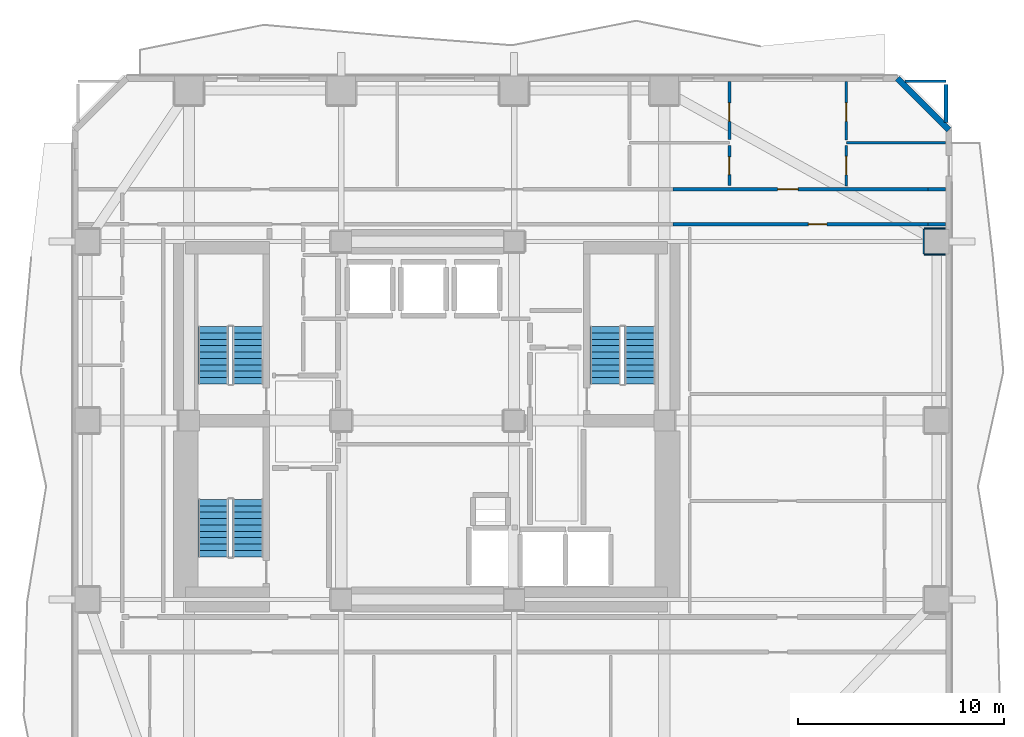
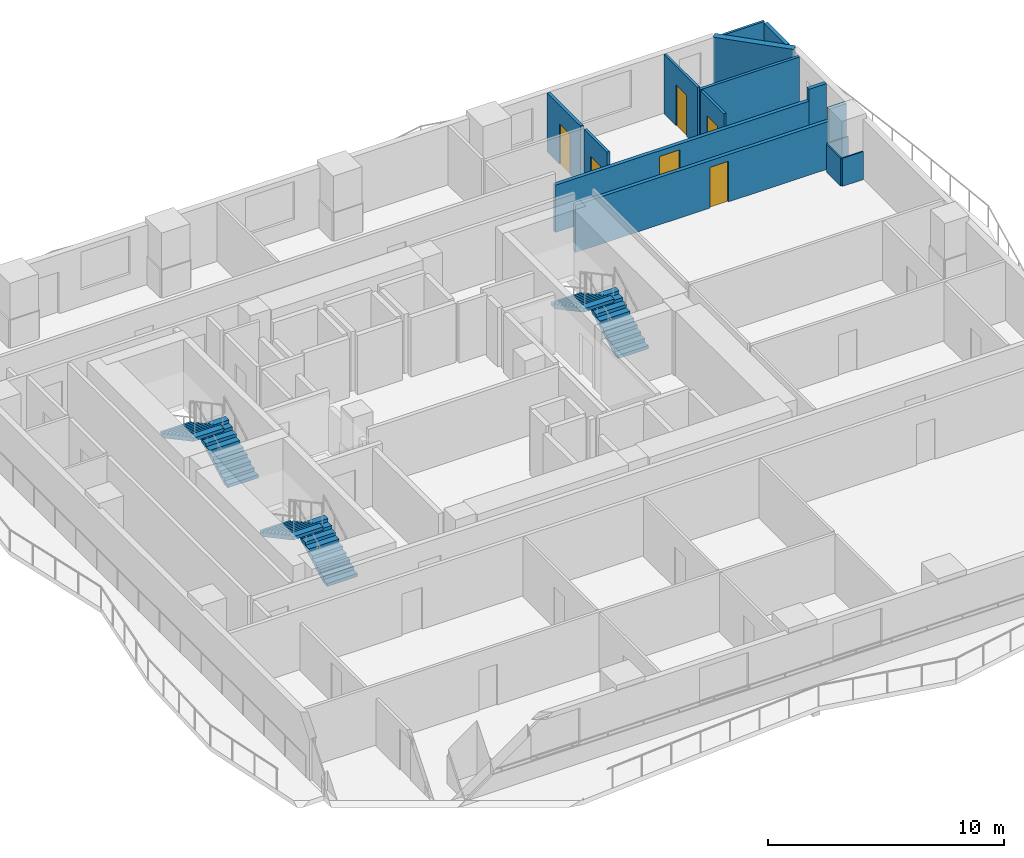
# One storey, part 6 of 9: 15 walls, 6 doors, 6 stair flights, 6 openings, 3 elements without a shape of their own.
"""IFC4 building model written with IfcOpenShell, lengths in metres."""

from ifc_helpers import new_model, si_unit, direction, frame, frame_2d, origin, place, context, subcontext, project, spatial, polyline, rectangle, outline, extrude, material, layer, layer_set, type_object, element, fill, aggregate, save


model = new_model("IFC4")

# Units and contexts
model_context = context("Model", 3, precision=1e-05, world=origin(), true_north=direction((0.0, 1.0)))
body_context = subcontext(model_context, "Body", "Model", "MODEL_VIEW")
ifc_project = project(units=[si_unit("LENGTHUNIT", "METRE"), si_unit("AREAUNIT", "SQUARE_METRE"), si_unit("VOLUMEUNIT", "CUBIC_METRE"), si_unit("PLANEANGLEUNIT", "RADIAN"), si_unit("MASSUNIT", "GRAM", prefix="KILO")], contexts=[model_context])

# Site, building, storey
site_placement = place(None, origin())
site = spatial("IfcSite", under=ifc_project, at=site_placement, CompositionType="ELEMENT")
building_placement = place(site_placement, origin())
building = spatial("IfcBuilding", under=site, at=building_placement, Name="Solanera Arch Residences", CompositionType="ELEMENT")
storey_placement = place(building_placement, frame((0.0, 0.0, 55.199951171875)))
storey = spatial("IfcBuildingStorey", under=building, at=storey_placement, Name="L15", CompositionType="ELEMENT", Elevation=55.199951171875)

# Walls
ifc_material_1 = material(Name="Fire-Rated Gypsum Stud Partition", Category="gypsum")
ifc_layer_1 = layer(ifc_material_1, 0.06005859375)
ifc_layer_set_1 = layer_set([ifc_layer_1], Name="Fire-Rated Gypsum Stud Partition")
wall_type_1 = type_object("IfcWallType", Name="Column Acoustic Furring Wall 60", PredefinedType="PARTITIONING", material=ifc_layer_set_1)
for number, where, z_axis, x_axis, name in (
    (1, (49.14990234375, 38.76806640625, 0.0), (0.0, 0.0, 1.0), (1.0, 0.0, 0.0), "L15 Column Furring 22S"),
    (2, (49.14990234375, 40.031982421875, 0.0), (0.0, 0.0, 1.0), (1.0, 0.0, 0.0), "L15 Column Furring 22N"),
):
    element("IfcWall", number, at=place(storey_placement, frame(where, z_axis=z_axis, x_axis=x_axis)), inside=storey, type_object=wall_type_1, Name=name, PredefinedType="PARTITIONING", context=body_context, shape_type="SweptSolid", body=[
        extrude(rectangle(XDim=1.02001953125, YDim=0.06005859375, at=frame_2d((0.510009765625, 0.0))), origin(), (0.0, 0.0, 1.0), 1.449951171875),
    ])
wall_1_placement = place(storey_placement, frame((49.117919921875, 38.800048828125, 0.0), z_axis=(0.0, 0.0, 1.0), x_axis=(0.0, 1.0, 0.0)))
element("IfcWall", 3, at=wall_1_placement, inside=storey, type_object=wall_type_1, Name="L15 Column Furring 22W", PredefinedType="PARTITIONING", context=body_context, shape_type="SweptSolid", body=[
    extrude(rectangle(XDim=1.199951171875, YDim=0.06005859375, at=frame_2d((0.60009765625, 0.0))), origin(), (0.0, 0.0, 1.0), 1.449951171875),
])

# Wall, opening, door
ifc_material_2 = material(Name="Autoclaved Aerated Concrete Blockwork", Category="masonry")
ifc_layer_2 = layer(ifc_material_2, 0.179931640625)
ifc_layer_set_2 = layer_set([ifc_layer_2], Name="Autoclaved Aerated Concrete Blockwork")
wall_type_2 = type_object("IfcWallType", Name="Corridor Fire Partition 180", PredefinedType="PARTITIONING", material=ifc_layer_set_2)
wall_2_placement = place(storey_placement, frame((36.931884765625, 40.25, 0.0), z_axis=(0.0, 0.0, 1.0), x_axis=(1.0, 0.0, 0.0)))
wall_2 = element("IfcWall", 4, at=wall_2_placement, inside=storey, type_object=wall_type_2, Name="L15 Interior Partition H10 2", PredefinedType="PARTITIONING", context=body_context, shape_type="SweptSolid", body=[
    extrude(rectangle(XDim=12.38623046875, YDim=0.179931640625, at=frame_2d((6.193115234375, 0.0))), origin(), (0.0, 0.0, 1.0), 2.445068359375),
])
opening_1_placement = place(wall_2_placement, frame((6.569091796875, 0.0, 0.0)))
opening_1 = element("IfcOpeningElement", 5, at=opening_1_placement, cuts=wall_2, Name="Opening DI-02", PredefinedType="OPENING", context=body_context, shape_type="SweptSolid", body=[
    extrude(rectangle(XDim=0.89990234375, YDim=2.10009765625, at=frame_2d((0.449951171875, 1.050048828125))), frame((0.0, 0.10009765625, 0.0), z_axis=(0.0, -1.0, 0.0), x_axis=(1.0, 0.0, 0.0)), (0.0, 0.0, 1.0), 0.1999),
])
ifc_material_3 = material(Name="Fire-Rated Architectural Hardwood", Category="wood")
door_type_1 = type_object("IfcDoorType", Name="Suite Room Swing Door DI-02", OperationType="NOTDEFINED", PredefinedType="DOOR", material=ifc_material_3)
door_1_placement = place(opening_1_placement, origin())
door_1 = element("IfcDoor", 6, at=door_1_placement, inside=storey, type_object=door_type_1, Name="DR-L15-IN-035", OperationType="SINGLE_SWING_LEFT", OverallHeight=2.10009765625, OverallWidth=0.89990234375, PredefinedType="DOOR", context=body_context, shape_type="SweptSolid", body=[
    extrude(rectangle(XDim=0.89990234375, YDim=2.10009765625, at=frame_2d((0.449951171875, 1.050048828125))), frame((0.0, 0.02490234375, 0.0), z_axis=(0.0, -1.0, 0.0), x_axis=(1.0, 0.0, 0.0)), (0.0, 0.0, 1.0), 0.050048828125),
])
fill(opening_1, door_1)

# Wall
wall_3_placement = place(storey_placement, frame((49.318115234375, 40.25, 0.0), z_axis=(0.0, 0.0, 1.0), x_axis=(1.0, 0.0, 0.0)))
element("IfcWall", 7, at=wall_3_placement, inside=storey, type_object=wall_type_2, Name="L15 Interior Partition H10 3", PredefinedType="PARTITIONING", context=body_context, shape_type="SweptSolid", body=[
    extrude(rectangle(XDim=0.85498046875, YDim=0.179931640625, at=frame_2d((0.427490234375, 0.0))), origin(), (0.0, 0.0, 1.0), 3.06005859375),
])

# Wall, opening, door
wall_4_placement = place(storey_placement, frame((36.931884765625, 41.949951171875, 0.0), z_axis=(0.0, 0.0, 1.0), x_axis=(1.0, 0.0, 0.0)))
wall_4 = element("IfcWall", 8, at=wall_4_placement, inside=storey, type_object=wall_type_2, Name="L15 Interior Partition H11 2", PredefinedType="PARTITIONING", context=body_context, shape_type="SweptSolid", body=[
    extrude(rectangle(XDim=12.38623046875, YDim=0.179931640625, at=frame_2d((6.193115234375, 0.0))), origin(), (0.0, 0.0, 1.0), 2.445068359375),
])
opening_2_placement = place(wall_4_placement, frame((5.077880859375, 0.0, 0.0)))
opening_2 = element("IfcOpeningElement", 9, at=opening_2_placement, cuts=wall_4, Name="Opening DI-01", PredefinedType="OPENING", context=body_context, shape_type="SweptSolid", body=[
    extrude(rectangle(XDim=1.0, YDim=2.14990234375, at=frame_2d((0.5, 1.074951171875))), frame((0.0, 0.10009765625, 0.0), z_axis=(0.0, -1.0, 0.0), x_axis=(1.0, 0.0, 0.0)), (0.0, 0.0, 1.0), 0.1999),
])
ifc_material_4 = material(Name="Fire-Rated Architectural Hardwood", Category="wood")
door_type_2 = type_object("IfcDoorType", Name="Unit Entrance Fire Door DI-01", OperationType="NOTDEFINED", PredefinedType="DOOR", material=ifc_material_4)
door_2_placement = place(opening_2_placement, origin())
door_2 = element("IfcDoor", 10, at=door_2_placement, inside=storey, type_object=door_type_2, Name="DR-L15-IN-024", OperationType="SINGLE_SWING_RIGHT", OverallHeight=2.14990234375, OverallWidth=1.0, PredefinedType="DOOR", context=body_context, shape_type="SweptSolid", body=[
    extrude(rectangle(XDim=1.0, YDim=2.14990234375, at=frame_2d((0.5, 1.074951171875))), frame((0.0, 0.02490234375, 0.0), z_axis=(0.0, -1.0, 0.0), x_axis=(1.0, 0.0, 0.0)), (0.0, 0.0, 1.0), 0.050048828125),
])
fill(opening_2, door_2)

# Walls
wall_5_placement = place(storey_placement, frame((49.318115234375, 41.949951171875, 0.0), z_axis=(0.0, 0.0, 1.0), x_axis=(1.0, 0.0, 0.0)))
element("IfcWall", 11, at=wall_5_placement, inside=storey, type_object=wall_type_2, Name="L15 Interior Partition H11 3", PredefinedType="PARTITIONING", context=body_context, shape_type="SweptSolid", body=[
    extrude(rectangle(XDim=0.85498046875, YDim=0.179931640625, at=frame_2d((0.427490234375, 0.0))), origin(), (0.0, 0.0, 1.0), 3.06005859375),
])
wall_6_placement = place(storey_placement, frame((50.199951171875, 45.198974609375, 0.0), z_axis=(0.0, 0.0, 1.0), x_axis=(0.0, 1.0, 0.0)))
element("IfcWall", 12, at=wall_6_placement, inside=storey, type_object=wall_type_2, Name="L15 Interior Partition V9 2", PredefinedType="PARTITIONING", context=body_context, shape_type="SweptSolid", body=[
    extrude(rectangle(XDim=1.843017578125, YDim=0.179931640625, at=frame_2d((0.92138671875, 0.0))), origin(), (0.0, 0.0, 1.0), 3.06005859375),
])
ifc_material_5 = material(Name="Precast Concrete C35/45", Category="concrete")
ifc_layer_3 = layer(ifc_material_5, 0.300048828125)
ifc_layer_set_3 = layer_set([ifc_layer_3], Name="Precast Concrete C35/45")
wall_type_3 = type_object("IfcWallType", Name="Exterior Wall Precast Masonry-Frame 300", PredefinedType="STANDARD", material=ifc_layer_set_3)
wall_7_placement = place(storey_placement, frame((47.8349609375, 47.3349609375, 0.0), z_axis=(0.0, 0.0, 1.0), x_axis=(0.707106781187, -0.707106781187, 0.0)))
element("IfcWall", 13, at=wall_7_placement, inside=storey, type_object=wall_type_3, Name="L15 Tower Exterior Precast Masonry-Frame Wall CH3", PredefinedType="STANDARD", context=body_context, shape_type="SweptSolid", body=[
    extrude(rectangle(XDim=3.53564453125, YDim=0.300048828125, at=frame_2d((1.767822265625, 0.0))), origin(), (0.0, 0.0, 1.0), 3.06005859375),
])
ifc_material_6 = material(Name="Fire-Rated Gypsum Stud Partition", Category="gypsum")
ifc_layer_4 = layer(ifc_material_6, 0.1201171875)
ifc_layer_set_4 = layer_set([ifc_layer_4], Name="Fire-Rated Gypsum Stud Partition")
wall_type_4 = type_object("IfcWallType", Name="Unit Drywall Partition 120", PredefinedType="PARTITIONING", material=ifc_layer_set_4)
wall_8_placement = place(storey_placement, frame((48.198974609375, 47.199951171875, 0.0), z_axis=(0.0, 0.0, 1.0), x_axis=(1.0, 0.0, 0.0)))
element("IfcWall", 14, at=wall_8_placement, inside=storey, type_object=wall_type_4, Name="L15 Interior Partition H21 2", PredefinedType="PARTITIONING", context=body_context, shape_type="SweptSolid", body=[
    extrude(rectangle(XDim=2.0009765625, YDim=0.1201171875, at=frame_2d((1.00048828125, 0.0))), origin(), (0.0, 0.0, 1.0), 3.06005859375),
])

# Wall, opening, door
wall_9_placement = place(storey_placement, frame((45.35400390625, 42.10791015625, 0.0), z_axis=(0.0, 0.0, 1.0), x_axis=(0.0, 1.0, 0.0)))
wall_9 = element("IfcWall", 15, at=wall_9_placement, inside=storey, type_object=wall_type_4, Name="L15 Interior Partition V22 1", PredefinedType="PARTITIONING", context=body_context, shape_type="SweptSolid", body=[
    extrude(rectangle(XDim=1.962158203125, YDim=0.1201171875, at=frame_2d((0.98095703125, 0.0))), origin(), (0.0, 0.0, 1.0), 3.06005859375),
])
opening_3_placement = place(wall_9_placement, frame((0.533935546875, 0.0, 0.0)))
opening_3 = element("IfcOpeningElement", 16, at=opening_3_placement, cuts=wall_9, Name="Opening DI-02", PredefinedType="OPENING", context=body_context, shape_type="SweptSolid", body=[
    extrude(rectangle(XDim=0.89990234375, YDim=2.10009765625, at=frame_2d((0.449951171875, 1.050048828125))), frame((0.0, 0.070068359375, 0.0), z_axis=(0.0, -1.0, 0.0), x_axis=(1.0, 0.0, 0.0)), (0.0, 0.0, 1.0), 0.1401),
])
door_3_placement = place(opening_3_placement, origin())
door_3 = element("IfcDoor", 17, at=door_3_placement, inside=storey, type_object=door_type_1, Name="DR-L15-IN-027", OperationType="SINGLE_SWING_LEFT", OverallHeight=2.10009765625, OverallWidth=0.89990234375, PredefinedType="DOOR", context=body_context, shape_type="SweptSolid", body=[
    extrude(rectangle(XDim=0.89990234375, YDim=2.10009765625, at=frame_2d((0.449951171875, 1.050048828125))), frame((0.0, 0.02490234375, 0.0), z_axis=(0.0, -1.0, 0.0), x_axis=(1.0, 0.0, 0.0)), (0.0, 0.0, 1.0), 0.050048828125),
])
fill(opening_3, door_3)

wall_10_placement = place(storey_placement, frame((45.35400390625, 44.345947265625, 0.0), z_axis=(0.0, 0.0, 1.0), x_axis=(0.0, 1.0, 0.0)))
wall_10 = element("IfcWall", 18, at=wall_10_placement, inside=storey, type_object=wall_type_4, Name="L15 Interior Partition V22 2", PredefinedType="PARTITIONING", context=body_context, shape_type="SweptSolid", body=[
    extrude(rectangle(XDim=2.8271484375, YDim=0.1201171875, at=frame_2d((1.41357421875, 0.0))), origin(), (0.0, 0.0, 1.0), 3.06005859375),
])
opening_4_placement = place(wall_10_placement, frame((0.89501953125, 0.0, 0.0)))
opening_4 = element("IfcOpeningElement", 19, at=opening_4_placement, cuts=wall_10, Name="Opening DI-03", PredefinedType="OPENING", context=body_context, shape_type="SweptSolid", body=[
    extrude(rectangle(XDim=0.89990234375, YDim=2.10009765625, at=frame_2d((0.449951171875, 1.050048828125))), frame((0.0, 0.070068359375, 0.0), z_axis=(0.0, -1.0, 0.0), x_axis=(1.0, 0.0, 0.0)), (0.0, 0.0, 1.0), 0.1401),
])
ifc_material_7 = material(Name="Fire-Rated Architectural Hardwood", Category="wood")
door_type_3 = type_object("IfcDoorType", Name="Bedroom Swing Door DI-03", OperationType="NOTDEFINED", PredefinedType="DOOR", material=ifc_material_7)
door_4_placement = place(opening_4_placement, origin())
door_4 = element("IfcDoor", 20, at=door_4_placement, inside=storey, type_object=door_type_3, Name="DR-L15-IN-028", OperationType="SINGLE_SWING_RIGHT", OverallHeight=2.10009765625, OverallWidth=0.89990234375, PredefinedType="DOOR", context=body_context, shape_type="SweptSolid", body=[
    extrude(rectangle(XDim=0.89990234375, YDim=2.10009765625, at=frame_2d((0.449951171875, 1.050048828125))), frame((0.0, 0.02490234375, 0.0), z_axis=(0.0, -1.0, 0.0), x_axis=(1.0, 0.0, 0.0)), (0.0, 0.0, 1.0), 0.050048828125),
])
fill(opening_4, door_4)

# Wall
ifc_material_8 = material(Name="Autoclaved Aerated Concrete Blockwork", Category="masonry")
ifc_layer_5 = layer(ifc_material_8, 0.139892578125)
ifc_layer_set_5 = layer_set([ifc_layer_5], Name="Autoclaved Aerated Concrete Blockwork")
wall_type_5 = type_object("IfcWallType", Name="Wet-Room Partition 140", PredefinedType="PARTITIONING", material=ifc_layer_set_5)
wall_11_placement = place(storey_placement, frame((45.35400390625, 44.2080078125, 0.0), z_axis=(0.0, 0.0, 1.0), x_axis=(1.0, 0.0, 0.0)))
element("IfcWall", 21, at=wall_11_placement, inside=storey, type_object=wall_type_5, Name="L15 Interior Partition H18", PredefinedType="PARTITIONING", context=body_context, shape_type="SweptSolid", body=[
    extrude(rectangle(XDim=4.819091796875, YDim=0.139892578125, at=frame_2d((2.40966796875, 0.0))), origin(), (0.0, 0.0, 1.0), 3.06005859375),
])

# Wall, opening, door
wall_12_placement = place(storey_placement, frame((39.666015625, 42.117919921875, 0.0), z_axis=(0.0, 0.0, 1.0), x_axis=(0.0, 1.0, 0.0)))
wall_12 = element("IfcWall", 22, at=wall_12_placement, inside=storey, type_object=wall_type_5, Name="L15 Interior Partition V15 1", PredefinedType="PARTITIONING", context=body_context, shape_type="SweptSolid", body=[
    extrude(rectangle(XDim=1.942138671875, YDim=0.139892578125, at=frame_2d((0.97119140625, 0.0))), origin(), (0.0, 0.0, 1.0), 3.06005859375),
])
opening_5_placement = place(wall_12_placement, frame((0.5439453125, 0.0, 0.0)))
opening_5 = element("IfcOpeningElement", 23, at=opening_5_placement, cuts=wall_12, Name="Opening DI-05", PredefinedType="OPENING", context=body_context, shape_type="SweptSolid", body=[
    extrude(rectangle(XDim=0.860107421875, YDim=2.02001953125, at=frame_2d((0.43017578125, 1.010009765625))), frame((0.0, 0.079833984375, 0.0), z_axis=(0.0, -1.0, 0.0), x_axis=(1.0, 0.0, 0.0)), (0.0, 0.0, 1.0), 0.1599),
])
ifc_material_9 = material(Name="Fire-Rated Architectural Hardwood", Category="wood")
door_type_4 = type_object("IfcDoorType", Name="Bathroom Swing Door DI-05", OperationType="NOTDEFINED", PredefinedType="DOOR", material=ifc_material_9)
door_5_placement = place(opening_5_placement, origin())
door_5 = element("IfcDoor", 24, at=door_5_placement, inside=storey, type_object=door_type_4, Name="DR-L15-IN-025", OperationType="SINGLE_SWING_LEFT", OverallHeight=2.02001953125, OverallWidth=0.860107421875, PredefinedType="DOOR", context=body_context, shape_type="SweptSolid", body=[
    extrude(rectangle(XDim=0.860107421875, YDim=2.02001953125, at=frame_2d((0.43017578125, 1.010009765625))), frame((0.0, 0.02490234375, 0.0), z_axis=(0.0, -1.0, 0.0), x_axis=(1.0, 0.0, 0.0)), (0.0, 0.0, 1.0), 0.050048828125),
])
fill(opening_5, door_5)

wall_13_placement = place(storey_placement, frame((39.666015625, 44.35595703125, 0.0), z_axis=(0.0, 0.0, 1.0), x_axis=(0.0, 1.0, 0.0)))
wall_13 = element("IfcWall", 25, at=wall_13_placement, inside=storey, type_object=wall_type_5, Name="L15 Interior Partition V15 2", PredefinedType="PARTITIONING", context=body_context, shape_type="SweptSolid", body=[
    extrude(rectangle(XDim=2.817138671875, YDim=0.139892578125, at=frame_2d((1.40869140625, 0.0))), origin(), (0.0, 0.0, 1.0), 3.06005859375),
])
opening_6_placement = place(wall_13_placement, frame((0.885009765625, 0.0, 0.0)))
opening_6 = element("IfcOpeningElement", 26, at=opening_6_placement, cuts=wall_13, Name="Opening DI-03", PredefinedType="OPENING", context=body_context, shape_type="SweptSolid", body=[
    extrude(rectangle(XDim=0.89990234375, YDim=2.10009765625, at=frame_2d((0.449951171875, 1.050048828125))), frame((0.0, 0.079833984375, 0.0), z_axis=(0.0, -1.0, 0.0), x_axis=(1.0, 0.0, 0.0)), (0.0, 0.0, 1.0), 0.1599),
])
door_6_placement = place(opening_6_placement, origin())
door_6 = element("IfcDoor", 27, at=door_6_placement, inside=storey, type_object=door_type_3, Name="DR-L15-IN-026", OperationType="SINGLE_SWING_RIGHT", OverallHeight=2.10009765625, OverallWidth=0.89990234375, PredefinedType="DOOR", context=body_context, shape_type="SweptSolid", body=[
    extrude(rectangle(XDim=0.89990234375, YDim=2.10009765625, at=frame_2d((0.449951171875, 1.050048828125))), frame((0.0, 0.02490234375, 0.0), z_axis=(0.0, -1.0, 0.0), x_axis=(1.0, 0.0, 0.0)), (0.0, 0.0, 1.0), 0.050048828125),
])
fill(opening_6, door_6)

# Stair, stair flights
ifc_material_10 = material(Name="Concrete C40/50 (f'c = 45 MPa)", Category="concrete")
stair_type = type_object("IfcStairType", Name="Tower Dogleg Exit Stair 1480", PredefinedType="HALF_TURN_STAIR", material=ifc_material_10)
stair_1_placement = place(storey_placement, origin())
stair_1 = element("IfcStair", 28, at=stair_1_placement, inside=storey, type_object=stair_type, Name="L15 Tower Core Exit Stair 1", PredefinedType="HALF_TURN_STAIR")
ifc_material_11 = material(Name="Concrete C40/50 (f'c = 45 MPa)", Category="concrete")
stair_flight_type = type_object("IfcStairFlightType", Name="Tower Precast Stair Flight 1480", PredefinedType="STRAIGHT", material=ifc_material_11)
stair_flight_1_placement = place(storey_placement, frame((16.260009765625, 32.47998046875, 0.0), z_axis=(0.0, 0.0, 1.0), x_axis=(0.0, 1.0, 0.0)))
stair_flight_1 = element("IfcStairFlight", 29, at=stair_flight_1_placement, type_object=stair_flight_type, Name="ST-T1 flight 1", NumberOfRisers=10, NumberOfTreads=9, PredefinedType="STRAIGHT", RiserHeight=0.166, TreadLength=0.31, context=body_context, shape_type="SweptSolid", body=[
    extrude(outline(polyline([(0.0, 0.0), (0.0, 0.166015625), (0.31005859375, 0.166015625), (0.31005859375, 0.33203125), (0.6201171875, 0.33203125), (0.6201171875, 0.498046875), (0.929931640625, 0.498046875), (0.929931640625, 0.6640625), (1.239990234375, 0.6640625), (1.239990234375, 0.830078125), (1.550048828125, 0.830078125), (1.550048828125, 0.99609375), (1.860107421875, 0.99609375), (1.860107421875, 1.162109375), (2.169921875, 1.162109375), (2.169921875, 1.327880859375), (2.47998046875, 1.327880859375), (2.47998046875, 1.493896484375), (2.7900390625, 1.493896484375), (2.7900390625, 1.659912109375), (2.7900390625, 1.323974609375), (0.317626953125, 0.0), (0.0, 0.0)])), frame((0.0, 0.739990234375, 0.0), z_axis=(0.0, -1.0, 0.0), x_axis=(1.0, 0.0, 0.0)), (0.0, 0.0, 1.0), 1.47998046875),
])
stair_flight_2_placement = place(storey_placement, frame((14.580078125, 35.27001953125, 1.66015625), z_axis=(0.0, 0.0, 1.0), x_axis=(0.0, -1.0, 0.0)))
stair_flight_2 = element("IfcStairFlight", 30, at=stair_flight_2_placement, type_object=stair_flight_type, Name="ST-T1 flight 2", NumberOfRisers=10, NumberOfTreads=9, PredefinedType="STRAIGHT", RiserHeight=0.166, TreadLength=0.31, context=body_context, shape_type="SweptSolid", body=[
    extrude(outline(polyline([(0.0, 0.0), (0.0, 0.166015625), (0.31005859375, 0.166015625), (0.31005859375, 0.33203125), (0.6201171875, 0.33203125), (0.6201171875, 0.498046875), (0.929931640625, 0.498046875), (0.929931640625, 0.6640625), (1.239990234375, 0.6640625), (1.239990234375, 0.830078125), (1.550048828125, 0.830078125), (1.550048828125, 0.99609375), (1.860107421875, 0.99609375), (1.860107421875, 1.162109375), (2.169921875, 1.162109375), (2.169921875, 1.327880859375), (2.47998046875, 1.327880859375), (2.47998046875, 1.493896484375), (2.7900390625, 1.493896484375), (2.7900390625, 1.659912109375), (2.7900390625, 1.323974609375), (0.317626953125, 0.0), (0.0, 0.0)])), frame((0.0, 0.739990234375, 0.0), z_axis=(0.0, -1.0, 0.0), x_axis=(1.0, 0.0, 0.0)), (0.0, 0.0, 1.0), 1.47998046875),
])
aggregate(stair_1, [stair_flight_1, stair_flight_2])

stair_2_placement = place(storey_placement, origin())
stair_2 = element("IfcStair", 31, at=stair_2_placement, inside=storey, type_object=stair_type, Name="L15 Tower Core Exit Stair 2", PredefinedType="HALF_TURN_STAIR")
stair_flight_3_placement = place(storey_placement, frame((35.320068359375, 32.47998046875, 0.0), z_axis=(0.0, 0.0, 1.0), x_axis=(0.0, 1.0, 0.0)))
stair_flight_3 = element("IfcStairFlight", 32, at=stair_flight_3_placement, type_object=stair_flight_type, Name="ST-T2 flight 1", NumberOfRisers=10, NumberOfTreads=9, PredefinedType="STRAIGHT", RiserHeight=0.166, TreadLength=0.31, context=body_context, shape_type="SweptSolid", body=[
    extrude(outline(polyline([(0.0, 0.0), (0.0, 0.166015625), (0.31005859375, 0.166015625), (0.31005859375, 0.33203125), (0.6201171875, 0.33203125), (0.6201171875, 0.498046875), (0.929931640625, 0.498046875), (0.929931640625, 0.6640625), (1.239990234375, 0.6640625), (1.239990234375, 0.830078125), (1.550048828125, 0.830078125), (1.550048828125, 0.99609375), (1.860107421875, 0.99609375), (1.860107421875, 1.162109375), (2.169921875, 1.162109375), (2.169921875, 1.327880859375), (2.47998046875, 1.327880859375), (2.47998046875, 1.493896484375), (2.7900390625, 1.493896484375), (2.7900390625, 1.659912109375), (2.7900390625, 1.323974609375), (0.317626953125, 0.0), (0.0, 0.0)])), frame((0.0, 0.739990234375, 0.0), z_axis=(0.0, -1.0, 0.0), x_axis=(1.0, 0.0, 0.0)), (0.0, 0.0, 1.0), 1.47998046875),
])
stair_flight_4_placement = place(storey_placement, frame((33.639892578125, 35.27001953125, 1.66015625), z_axis=(0.0, 0.0, 1.0), x_axis=(0.0, -1.0, 0.0)))
stair_flight_4 = element("IfcStairFlight", 33, at=stair_flight_4_placement, type_object=stair_flight_type, Name="ST-T2 flight 2", NumberOfRisers=10, NumberOfTreads=9, PredefinedType="STRAIGHT", RiserHeight=0.166, TreadLength=0.31, context=body_context, shape_type="SweptSolid", body=[
    extrude(outline(polyline([(0.0, 0.0), (0.0, 0.166015625), (0.31005859375, 0.166015625), (0.31005859375, 0.33203125), (0.6201171875, 0.33203125), (0.6201171875, 0.498046875), (0.929931640625, 0.498046875), (0.929931640625, 0.6640625), (1.239990234375, 0.6640625), (1.239990234375, 0.830078125), (1.550048828125, 0.830078125), (1.550048828125, 0.99609375), (1.860107421875, 0.99609375), (1.860107421875, 1.162109375), (2.169921875, 1.162109375), (2.169921875, 1.327880859375), (2.47998046875, 1.327880859375), (2.47998046875, 1.493896484375), (2.7900390625, 1.493896484375), (2.7900390625, 1.659912109375), (2.7900390625, 1.323974609375), (0.317626953125, 0.0), (0.0, 0.0)])), frame((0.0, 0.739990234375, 0.0), z_axis=(0.0, -1.0, 0.0), x_axis=(1.0, 0.0, 0.0)), (0.0, 0.0, 1.0), 1.47998046875),
])
aggregate(stair_2, [stair_flight_3, stair_flight_4])

stair_3_placement = place(storey_placement, origin())
stair_3 = element("IfcStair", 34, at=stair_3_placement, inside=storey, type_object=stair_type, Name="L15 Tower Core Exit Stair 3", PredefinedType="HALF_TURN_STAIR")
stair_flight_5_placement = place(storey_placement, frame((16.260009765625, 24.080078125, 0.0), z_axis=(0.0, 0.0, 1.0), x_axis=(0.0, 1.0, 0.0)))
stair_flight_5 = element("IfcStairFlight", 35, at=stair_flight_5_placement, type_object=stair_flight_type, Name="ST-T3 flight 1", NumberOfRisers=10, NumberOfTreads=9, PredefinedType="STRAIGHT", RiserHeight=0.166, TreadLength=0.31, context=body_context, shape_type="SweptSolid", body=[
    extrude(outline(polyline([(0.0, 0.0), (0.0, 0.166015625), (0.31005859375, 0.166015625), (0.31005859375, 0.33203125), (0.6201171875, 0.33203125), (0.6201171875, 0.498046875), (0.929931640625, 0.498046875), (0.929931640625, 0.6640625), (1.239990234375, 0.6640625), (1.239990234375, 0.830078125), (1.550048828125, 0.830078125), (1.550048828125, 0.99609375), (1.860107421875, 0.99609375), (1.860107421875, 1.162109375), (2.169921875, 1.162109375), (2.169921875, 1.327880859375), (2.47998046875, 1.327880859375), (2.47998046875, 1.493896484375), (2.7900390625, 1.493896484375), (2.7900390625, 1.659912109375), (2.7900390625, 1.323974609375), (0.317626953125, 0.0), (0.0, 0.0)])), frame((0.0, 0.739990234375, 0.0), z_axis=(0.0, -1.0, 0.0), x_axis=(1.0, 0.0, 0.0)), (0.0, 0.0, 1.0), 1.47998046875),
])
stair_flight_6_placement = place(storey_placement, frame((14.580078125, 26.8701171875, 1.66015625), z_axis=(0.0, 0.0, 1.0), x_axis=(0.0, -1.0, 0.0)))
stair_flight_6 = element("IfcStairFlight", 36, at=stair_flight_6_placement, type_object=stair_flight_type, Name="ST-T3 flight 2", NumberOfRisers=10, NumberOfTreads=9, PredefinedType="STRAIGHT", RiserHeight=0.166, TreadLength=0.31, context=body_context, shape_type="SweptSolid", body=[
    extrude(outline(polyline([(0.0, 0.0), (0.0, 0.166015625), (0.31005859375, 0.166015625), (0.31005859375, 0.33203125), (0.6201171875, 0.33203125), (0.6201171875, 0.498046875), (0.929931640625, 0.498046875), (0.929931640625, 0.6640625), (1.239990234375, 0.6640625), (1.239990234375, 0.830078125), (1.550048828125, 0.830078125), (1.550048828125, 0.99609375), (1.860107421875, 0.99609375), (1.860107421875, 1.162109375), (2.169921875, 1.162109375), (2.169921875, 1.327880859375), (2.47998046875, 1.327880859375), (2.47998046875, 1.493896484375), (2.7900390625, 1.493896484375), (2.7900390625, 1.659912109375), (2.7900390625, 1.323974609375), (0.317626953125, 0.0), (0.0, 0.0)])), frame((0.0, 0.739990234375, 0.0), z_axis=(0.0, -1.0, 0.0), x_axis=(1.0, 0.0, 0.0)), (0.0, 0.0, 1.0), 1.47998046875),
])
aggregate(stair_3, [stair_flight_5, stair_flight_6])

save(model, "model.ifc")
